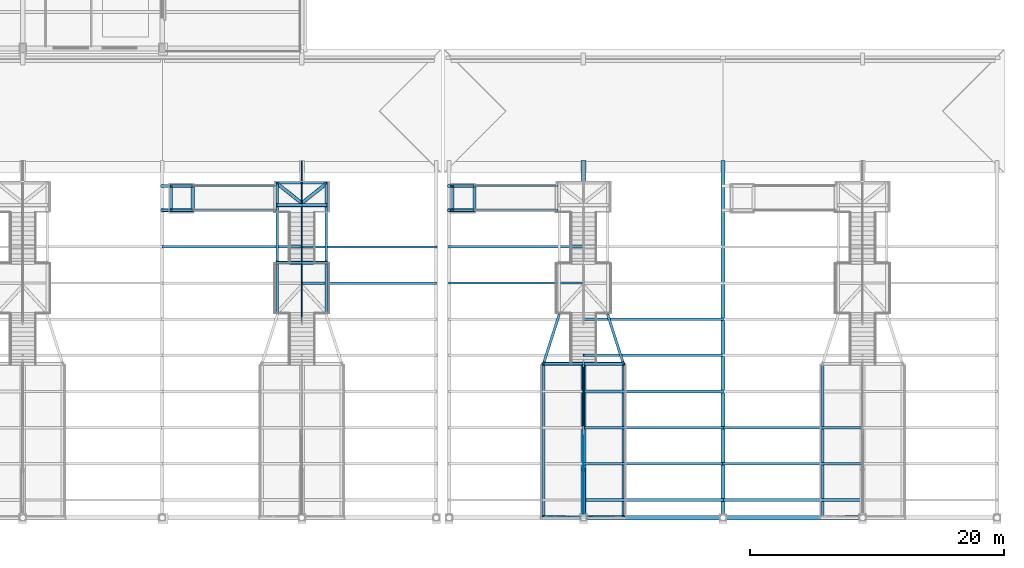
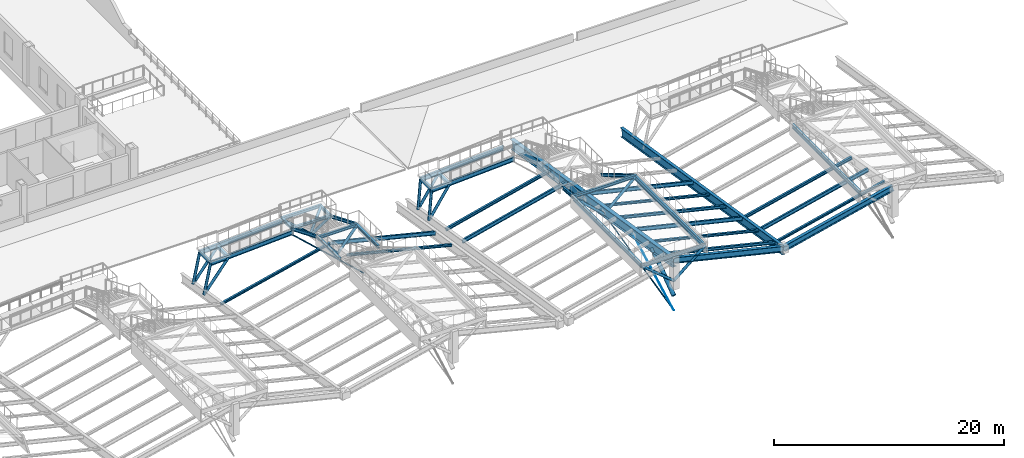
# One storey, part 13 of 43: 36 members, 28 beams.
"""IFC4 building model written with IfcOpenShell, lengths in metres."""

from ifc_helpers import new_model, si_unit, direction, frame, origin, origin_2d, place, context, subcontext, project, spatial, rectangle, circle, hollow_circle, i_section, extrude, material, material_profile, profile_set, type_object, element, save


model = new_model("IFC4")

# Units and contexts
model_context = context("Model", 3, precision=1e-05, world=origin(), true_north=direction((0.0, 1.0)))
body_context = subcontext(model_context, "Body", "Model", "MODEL_VIEW")
ifc_project = project(units=[si_unit("LENGTHUNIT", "METRE"), si_unit("AREAUNIT", "SQUARE_METRE"), si_unit("VOLUMEUNIT", "CUBIC_METRE"), si_unit("PLANEANGLEUNIT", "RADIAN"), si_unit("MASSUNIT", "GRAM", prefix="KILO")], contexts=[model_context])

# Site, building, storey
site_placement = place(None, origin())
site = spatial("IfcSite", under=ifc_project, at=site_placement, CompositionType="ELEMENT")
building_placement = place(site_placement, origin())
building = spatial("IfcBuilding", under=site, at=building_placement, Name="Caurita Quay Ferry Terminal", CompositionType="ELEMENT")
storey_placement = place(building_placement, frame((0.0, 0.0, 14.10009765625)))
storey = spatial("IfcBuildingStorey", under=building, at=storey_placement, Name="L03", CompositionType="ELEMENT", Elevation=14.10009765625)

# Beams
ifc_material_1 = material(Name="Structural steel ASTM A992 Gr. 50", Category="steel")
ifc_material_profile_1 = material_profile(ifc_material_1, i_section(OverallWidth=0.193115234375, OverallDepth=0.46728515625, WebThickness=0.011474609375, FlangeThickness=0.01904296875, FilletRadius=0.0126953125, at=origin_2d()), Name="W18X65")
ifc_profile_set_1 = profile_set([ifc_material_profile_1], Name="Structural steel ASTM A992 Gr. 50")
beam_type_1 = type_object("IfcBeamType", Name="BM-GR-W18A", PredefinedType="BEAM", material=ifc_profile_set_1)
for number, where, z_axis, x_axis, name in (
    (1, (66.550048828125, 58.85009765625, -0.78369140625), (0.998577828833, 0.0, 0.053313410734), (0.0, 1.0, 0.0), "Folded Roof Bay 4 Ramp Underside Stringer S"),
    (2, (66.550048828125, 60.75, -0.78369140625), (0.998577828833, 0.0, 0.053313410734), (0.0, 1.0, 0.0), "Folded Roof Bay 4 Ramp Underside Stringer N"),
):
    element("IfcBeam", number, at=place(storey_placement, frame(where, z_axis=z_axis, x_axis=x_axis)), inside=storey, type_object=beam_type_1, Name=name, PredefinedType="BEAM", context=body_context, shape_type="SweptSolid", body=[
        extrude(i_section(OverallWidth=0.193115234375, OverallDepth=0.46728515625, WebThickness=0.011474609375, FlangeThickness=0.01904296875, FilletRadius=0.0126953125, at=origin_2d()), origin(), (0.0, 0.0, 1.0), 8.439697265625),
    ])
for number, where, z_axis, x_axis, name in (
    (3, (96.080078125, 46.627685546875, 3.26611328125), (0.0, -1.0, 0.0), (1.0, 0.0, 0.0), "Folded Roof Bay 5 Lookout Edge Beam 09"),
    (4, (102.320068359375, 46.627685546875, 3.26611328125), (0.0, -1.0, 0.0), (1.0, 0.0, 0.0), "Folded Roof Bay 5 Lookout Edge Beam 10"),
):
    element("IfcBeam", number, at=place(storey_placement, frame(where, z_axis=z_axis, x_axis=x_axis)), inside=storey, type_object=beam_type_1, Name=name, PredefinedType="BEAM", context=body_context, shape_type="SweptSolid", body=[
        extrude(i_section(OverallWidth=0.193115234375, OverallDepth=0.46728515625, WebThickness=0.011474609375, FlangeThickness=0.01904296875, FilletRadius=0.0126953125, at=origin_2d()), origin(), (0.0, 0.0, 1.0), 11.87548828125),
    ])
for number, where, z_axis, x_axis, name in (
    (5, (88.75, 58.85009765625, -0.78369140625), (0.998577828833, 0.0, 0.053313410734), (0.0, 1.0, 0.0), "Folded Roof Bay 5 Ramp Underside Stringer S"),
    (6, (88.75, 60.75, -0.78369140625), (0.998577828833, 0.0, 0.053313410734), (0.0, 1.0, 0.0), "Folded Roof Bay 5 Ramp Underside Stringer N"),
):
    element("IfcBeam", number, at=place(storey_placement, frame(where, z_axis=z_axis, x_axis=x_axis)), inside=storey, type_object=beam_type_1, Name=name, PredefinedType="BEAM", context=body_context, shape_type="SweptSolid", body=[
        extrude(i_section(OverallWidth=0.193115234375, OverallDepth=0.46728515625, WebThickness=0.011474609375, FlangeThickness=0.01904296875, FilletRadius=0.0126953125, at=origin_2d()), origin(), (0.0, 0.0, 1.0), 8.439697265625),
    ])
beam_1_placement = place(storey_placement, frame((118.080078125, 46.627685546875, 3.26611328125), z_axis=(0.0, -1.0, 0.0), x_axis=(1.0, 0.0, 0.0)))
element("IfcBeam", 7, at=beam_1_placement, inside=storey, type_object=beam_type_1, Name="Folded Roof Bay 6 Lookout Edge Beam 09", PredefinedType="BEAM", context=body_context, shape_type="SweptSolid", body=[
    extrude(i_section(OverallWidth=0.193115234375, OverallDepth=0.46728515625, WebThickness=0.011474609375, FlangeThickness=0.01904296875, FilletRadius=0.0126953125, at=origin_2d()), origin(), (0.0, 0.0, 1.0), 11.87548828125),
])
ifc_material_profile_2 = material_profile(ifc_material_1, i_section(OverallWidth=0.3251953125, OverallDepth=0.612060546875, WebThickness=0.0126953125, FlangeThickness=0.01904296875, FilletRadius=0.01513671875, at=origin_2d()), Name="W24X104")
ifc_profile_set_2 = profile_set([ifc_material_profile_2], Name="Structural steel ASTM A992 Gr. 50")
beam_type_2 = type_object("IfcBeamType", Name="BM-GR-W24A", PredefinedType="BEAM", material=ifc_profile_set_2)
for number, where, z_axis, x_axis, name in (
    (8, (99.199951171875, 34.60009765625, 2.906005859375), (0.972384559308, 0.0, -0.23338437998), (0.0, 1.0, 0.0), "Folded Roof Gable Ring Girder V2-S-99"),
    (9, (110.199951171875, 34.60009765625, 0.265869140625), (0.972384559308, 0.0, 0.23338437998), (0.0, 1.0, 0.0), "Folded Roof Gable Ring Girder V2-S-110"),
):
    element("IfcBeam", number, at=place(storey_placement, frame(where, z_axis=z_axis, x_axis=x_axis)), inside=storey, type_object=beam_type_2, Name=name, PredefinedType="BEAM", context=body_context, shape_type="SweptSolid", body=[
        extrude(i_section(OverallWidth=0.3251953125, OverallDepth=0.612060546875, WebThickness=0.0126953125, FlangeThickness=0.01904296875, FilletRadius=0.01513671875, at=origin_2d()), origin(), (0.0, 0.0, 1.0), 11.3125),
    ])
ifc_material_profile_3 = material_profile(ifc_material_1, i_section(OverallWidth=0.309326171875, OverallDepth=0.93212890625, WebThickness=0.02099609375, FlangeThickness=0.034423828125, FilletRadius=0.024169921875, at=origin_2d()), Name="W36X210")
ifc_profile_set_3 = profile_set([ifc_material_profile_3], Name="Structural steel ASTM A992 Gr. 50")
beam_type_3 = type_object("IfcBeamType", Name="BM-RF-W36B", PredefinedType="BEAM", material=ifc_profile_set_3)
beam_2_placement = place(storey_placement, frame((110.199951171875, 62.699951171875, -4.38720703125), z_axis=(0.0, -0.987439989472, 0.157994516331), x_axis=(1.0, 0.0, 0.0)))
element("IfcBeam", 10, at=beam_2_placement, inside=storey, type_object=beam_type_3, Name="Folded Roof Valley Girder V2-03", PredefinedType="BEAM", context=body_context, shape_type="SweptSolid", body=[
    extrude(i_section(OverallWidth=0.309326171875, OverallDepth=0.93212890625, WebThickness=0.02099609375, FlangeThickness=0.034423828125, FilletRadius=0.024169921875, at=origin_2d()), origin(), (0.0, 0.0, 1.0), 28.457275390625),
])
ifc_material_profile_4 = material_profile(ifc_material_1, i_section(OverallWidth=0.40380859375, OverallDepth=1.02099609375, WebThickness=0.025390625, FlangeThickness=0.047119140625, FilletRadius=0.025390625, at=origin_2d()), Name="W40X324")
ifc_profile_set_4 = profile_set([ifc_material_profile_4], Name="Structural steel ASTM A992 Gr. 50")
beam_type_4 = type_object("IfcBeamType", Name="BM-RF-W40A", PredefinedType="BEAM", material=ifc_profile_set_4)
beam_3_placement = place(storey_placement, frame((99.199951171875, 62.699951171875, -1.7919921875), z_axis=(0.0, -0.98744132788, 0.157986151272), x_axis=(1.0, 0.0, 0.0)))
element("IfcBeam", 11, at=beam_3_placement, inside=storey, type_object=beam_type_4, Name="Folded Roof Ridge Girder V2-02", PredefinedType="BEAM", context=body_context, shape_type="SweptSolid", body=[
    extrude(i_section(OverallWidth=0.40380859375, OverallDepth=1.02099609375, WebThickness=0.025390625, FlangeThickness=0.047119140625, FilletRadius=0.025390625, at=origin_2d()), origin(), (0.0, 0.0, 1.0), 28.457275390625),
])
ifc_material_profile_5 = material_profile(ifc_material_1, i_section(OverallWidth=0.20458984375, OverallDepth=0.307373046875, WebThickness=0.008544921875, FlangeThickness=0.0146484375, FilletRadius=0.0126953125, at=origin_2d()), Name="W12X45")
ifc_profile_set_5 = profile_set([ifc_material_profile_5], Name="Structural steel ASTM A992 Gr. 50")
beam_type_5 = type_object("IfcBeamType", Name="BM-TRM-W12", PredefinedType="BEAM", material=ifc_profile_set_5)
for number, where, z_axis, x_axis, name in (
    (12, (74.949951171875, 61.0, -0.25390625), (1.0, 0.0, 0.0), (0.0, 1.0, 0.0), "Folded Roof Bay 4 Stair Trimmer Beam 1"),
    (13, (74.949951171875, 59.25, -0.25390625), (1.0, 0.0, 0.0), (0.0, 1.0, 0.0), "Folded Roof Bay 4 Stair Trimmer Beam 2"),
    (14, (74.949951171875, 54.68994140625, 1.546142578125), (1.0, 0.0, 0.0), (0.0, 1.0, 0.0), "Folded Roof Bay 4 Stair Trimmer Beam 3"),
):
    element("IfcBeam", number, at=place(storey_placement, frame(where, z_axis=z_axis, x_axis=x_axis)), inside=storey, type_object=beam_type_5, Name=name, PredefinedType="BEAM", context=body_context, shape_type="SweptSolid", body=[
        extrude(i_section(OverallWidth=0.20458984375, OverallDepth=0.307373046875, WebThickness=0.008544921875, FlangeThickness=0.0146484375, FilletRadius=0.0126953125, at=origin_2d()), origin(), (0.0, 0.0, 1.0), 4.10009765625),
    ])
for number, where, z_axis, x_axis, name in (
    (15, (75.080078125, 60.897705078125, -0.25390625), (0.0, -1.0, 0.0), (1.0, 0.0, 0.0), "Folded Roof Bay 4 Lookout Edge Beam 01"),
    (16, (78.919921875, 60.897705078125, -0.25390625), (0.0, -1.0, 0.0), (1.0, 0.0, 0.0), "Folded Roof Bay 4 Lookout Edge Beam 02"),
):
    element("IfcBeam", number, at=place(storey_placement, frame(where, z_axis=z_axis, x_axis=x_axis)), inside=storey, type_object=beam_type_5, Name=name, PredefinedType="BEAM", context=body_context, shape_type="SweptSolid", body=[
        extrude(i_section(OverallWidth=0.20458984375, OverallDepth=0.307373046875, WebThickness=0.008544921875, FlangeThickness=0.0146484375, FilletRadius=0.0126953125, at=origin_2d()), origin(), (0.0, 0.0, 1.0), 1.54541015625),
    ])
for number, where, z_axis, x_axis, name in (
    (17, (75.080078125, 59.147705078125, -0.25390625), (0.0, -0.924182728414, 0.381950630975), (1.0, 0.0, 0.0), "Folded Roof Bay 4 Lookout Edge Beam 03"),
    (18, (78.919921875, 59.147705078125, -0.25390625), (0.0, -0.924182728414, 0.381950630975), (1.0, 0.0, 0.0), "Folded Roof Bay 4 Lookout Edge Beam 04"),
):
    element("IfcBeam", number, at=place(storey_placement, frame(where, z_axis=z_axis, x_axis=x_axis)), inside=storey, type_object=beam_type_5, Name=name, PredefinedType="BEAM", context=body_context, shape_type="SweptSolid", body=[
        extrude(i_section(OverallWidth=0.20458984375, OverallDepth=0.307373046875, WebThickness=0.008544921875, FlangeThickness=0.0146484375, FilletRadius=0.0126953125, at=origin_2d()), origin(), (0.0, 0.0, 1.0), 4.712890625),
    ])
for number, where, z_axis, x_axis, name in (
    (19, (75.080078125, 54.587890625, 1.546142578125), (0.0, -1.0, 0.0), (1.0, 0.0, 0.0), "Folded Roof Bay 4 Lookout Edge Beam 05"),
    (20, (78.919921875, 54.587890625, 1.546142578125), (0.0, -1.0, 0.0), (1.0, 0.0, 0.0), "Folded Roof Bay 4 Lookout Edge Beam 06"),
):
    element("IfcBeam", number, at=place(storey_placement, frame(where, z_axis=z_axis, x_axis=x_axis)), inside=storey, type_object=beam_type_5, Name=name, PredefinedType="BEAM", context=body_context, shape_type="SweptSolid", body=[
        extrude(i_section(OverallWidth=0.20458984375, OverallDepth=0.307373046875, WebThickness=0.008544921875, FlangeThickness=0.0146484375, FilletRadius=0.0126953125, at=origin_2d()), origin(), (0.0, 0.0, 1.0), 3.795654296875),
    ])
for number, where, z_axis, x_axis, name in (
    (21, (95.949951171875, 46.72998046875, 3.34619140625), (1.0, 0.0, 0.0), (0.0, 1.0, 0.0), "Folded Roof Bay 5 Stair Trimmer Beam 5"),
    (22, (95.949951171875, 34.64990234375, 3.34619140625), (1.0, 0.0, 0.0), (0.0, 1.0, 0.0), "Folded Roof Bay 5 Stair Trimmer Beam 6"),
):
    element("IfcBeam", number, at=place(storey_placement, frame(where, z_axis=z_axis, x_axis=x_axis)), inside=storey, type_object=beam_type_5, Name=name, PredefinedType="BEAM", context=body_context, shape_type="SweptSolid", body=[
        extrude(i_section(OverallWidth=0.20458984375, OverallDepth=0.307373046875, WebThickness=0.008544921875, FlangeThickness=0.0146484375, FilletRadius=0.0126953125, at=origin_2d()), origin(), (0.0, 0.0, 1.0), 6.5),
    ])
for number, where, z_axis, x_axis, name in (
    (23, (97.280029296875, 50.587890625, 1.546142578125), (-0.276860750417, -0.866520635538, 0.415319290504), (0.952559941387, -0.304351044134, 0.0), "Folded Roof Bay 5 Lookout Edge Beam 07"),
    (24, (101.1201171875, 50.587890625, 1.546142578125), (0.276860750417, -0.866520635538, 0.415319290504), (0.952559941387, 0.304351044134, 0.0), "Folded Roof Bay 5 Lookout Edge Beam 08"),
):
    element("IfcBeam", number, at=place(storey_placement, frame(where, z_axis=z_axis, x_axis=x_axis)), inside=storey, type_object=beam_type_5, Name=name, PredefinedType="BEAM", context=body_context, shape_type="SweptSolid", body=[
        extrude(i_section(OverallWidth=0.20458984375, OverallDepth=0.307373046875, WebThickness=0.008544921875, FlangeThickness=0.0146484375, FilletRadius=0.0126953125, at=origin_2d()), origin(), (0.0, 0.0, 1.0), 4.334228515625),
    ])
ifc_material_2 = material(Name="Reinforced concrete C35/45", Category="concrete")
ifc_material_profile_6 = material_profile(ifc_material_2, rectangle(XDim=0.25, YDim=0.300048828125, at=origin_2d()), Name="RC-LN-250X300")
ifc_profile_set_6 = profile_set([ifc_material_profile_6], Name="Reinforced concrete C35/45")
beam_type_6 = type_object("IfcBeamType", Name="LN-RC-2530", PredefinedType="LINTEL", material=ifc_profile_set_6)
for number, where, z_axis, x_axis, name in (
    (25, (66.679931640625, 58.946533203125, -0.7001953125), (0.0, 1.0, 0.0), (-1.0, 0.0, 0.0), "Folded Roof Bay 4 Ramp Pad Transverse Beam 1"),
    (26, (68.39990234375, 58.946533203125, -0.7001953125), (0.0, 1.0, 0.0), (-1.0, 0.0, 0.0), "Folded Roof Bay 4 Ramp Pad Transverse Beam 2"),
    (27, (88.8798828125, 58.946533203125, -0.7001953125), (0.0, 1.0, 0.0), (-1.0, 0.0, 0.0), "Folded Roof Bay 5 Ramp Pad Transverse Beam 1"),
    (28, (90.60009765625, 58.946533203125, -0.7001953125), (0.0, 1.0, 0.0), (-1.0, 0.0, 0.0), "Folded Roof Bay 5 Ramp Pad Transverse Beam 2"),
):
    element("IfcBeam", number, at=place(storey_placement, frame(where, z_axis=z_axis, x_axis=x_axis)), inside=storey, type_object=beam_type_6, Name=name, PredefinedType="LINTEL", context=body_context, shape_type="SweptSolid", body=[
        extrude(rectangle(XDim=0.25, YDim=0.300048828125, at=origin_2d()), origin(), (0.0, 0.0, 1.0), 1.70703125),
    ])

# Members
ifc_material_3 = material(Name="Structural stay cable steel ASTM A586", Category="steel")
ifc_material_profile_7 = material_profile(ifc_material_3, circle(Radius=0.031982421875, at=origin_2d()), Name="CABLE-D64")
ifc_profile_set_7 = profile_set([ifc_material_profile_7], Name="Structural stay cable steel ASTM A586")
member_type_1 = type_object("IfcMemberType", Name="MEM-CBL-64", PredefinedType="USERDEFINED", material=ifc_profile_set_7)
member_1_placement = place(storey_placement, frame((99.199951171875, 34.60009765625, -2.4501953125), z_axis=(0.0, 0.881276847581, 0.472600378669), x_axis=(-1.0, 0.0, 0.0)))
element("IfcMember", 29, at=member_1_placement, inside=storey, type_object=member_type_1, Name="Folded Roof Stay Cable V2-02-S1", ObjectType="STAY CABLE", PredefinedType="USERDEFINED", context=body_context, shape_type="SweptSolid", body=[
    extrude(circle(Radius=0.031982421875, at=origin_2d()), origin(), (0.0, 0.0, 1.0), 7.829345703125),
])
ifc_material_profile_8 = material_profile(ifc_material_3, circle(Radius=0.044921875, at=origin_2d()), Name="CABLE-D90")
ifc_profile_set_8 = profile_set([ifc_material_profile_8], Name="Structural stay cable steel ASTM A586")
member_type_2 = type_object("IfcMemberType", Name="MEM-CBL-90", PredefinedType="USERDEFINED", material=ifc_profile_set_8)
member_2_placement = place(storey_placement, frame((77.0, 62.699951171875, -3.650146484375), z_axis=(0.0, -0.962913233347, 0.269811239657), x_axis=(1.0, 0.0, 0.0)))
element("IfcMember", 30, at=member_2_placement, inside=storey, type_object=member_type_2, Name="Folded Roof Stay Cable V1-08-N2", ObjectType="STAY CABLE", PredefinedType="USERDEFINED", context=body_context, shape_type="SweptSolid", body=[
    extrude(circle(Radius=0.044921875, at=origin_2d()), origin(), (0.0, 0.0, 1.0), 13.085205078125),
])
member_3_placement = place(storey_placement, frame((99.199951171875, 34.60009765625, -2.4501953125), z_axis=(0.0, 0.973745828485, 0.22763800541), x_axis=(-1.0, 0.0, 0.0)))
element("IfcMember", 31, at=member_3_placement, inside=storey, type_object=member_type_2, Name="Folded Roof Stay Cable V2-02-S2", ObjectType="STAY CABLE", PredefinedType="USERDEFINED", context=body_context, shape_type="SweptSolid", body=[
    extrude(circle(Radius=0.044921875, at=origin_2d()), origin(), (0.0, 0.0, 1.0), 12.52880859375),
])
ifc_material_profile_9 = material_profile(ifc_material_1, i_section(OverallWidth=0.2021484375, OverallDepth=0.246337890625, WebThickness=0.00732421875, FlangeThickness=0.010986328125, FilletRadius=0.01025390625, at=origin_2d()), Name="W10X33")
ifc_profile_set_9 = profile_set([ifc_material_profile_9], Name="Structural steel ASTM A992 Gr. 50")
member_type_3 = type_object("IfcMemberType", Name="MEM-PUR-10", PredefinedType="PURLIN", material=ifc_profile_set_9)
member_4_placement = place(storey_placement, frame((66.0, 55.949951171875, -3.1201171875), z_axis=(0.972384559308, 0.0, 0.23338437998), x_axis=(0.0, 1.0, 0.0)))
element("IfcMember", 32, at=member_4_placement, inside=storey, type_object=member_type_3, Name="Folded Roof Purlin PUR-068", PredefinedType="PURLIN", context=body_context, shape_type="SweptSolid", body=[
    extrude(i_section(OverallWidth=0.2021484375, OverallDepth=0.246337890625, WebThickness=0.00732421875, FlangeThickness=0.010986328125, FilletRadius=0.01025390625, at=origin_2d()), origin(), (0.0, 0.0, 1.0), 11.3125),
])
member_5_placement = place(storey_placement, frame((77.0, 53.10009765625, -0.024169921875), z_axis=(0.9703603414, 0.0, -0.241662590897), x_axis=(0.0, 1.0, 0.0)))
element("IfcMember", 33, at=member_5_placement, inside=storey, type_object=member_type_3, Name="Folded Roof Purlin PUR-077", PredefinedType="PURLIN", context=body_context, shape_type="SweptSolid", body=[
    extrude(i_section(OverallWidth=0.2021484375, OverallDepth=0.246337890625, WebThickness=0.00732421875, FlangeThickness=0.010986328125, FilletRadius=0.01025390625, at=origin_2d()), origin(), (0.0, 0.0, 1.0), 10.923828125),
])
member_6_placement = place(storey_placement, frame((99.199951171875, 38.85009765625, 2.255859375), z_axis=(0.972389456854, 0.0, -0.233363973654), x_axis=(0.0, 1.0, 0.0)))
element("IfcMember", 34, at=member_6_placement, inside=storey, type_object=member_type_3, Name="Folded Roof Purlin PUR-092", PredefinedType="PURLIN", context=body_context, shape_type="SweptSolid", body=[
    extrude(i_section(OverallWidth=0.2021484375, OverallDepth=0.246337890625, WebThickness=0.00732421875, FlangeThickness=0.010986328125, FilletRadius=0.01025390625, at=origin_2d()), origin(), (0.0, 0.0, 1.0), 11.312255859375),
])
member_7_placement = place(storey_placement, frame((99.199951171875, 47.39990234375, 0.887939453125), z_axis=(0.972384559308, 0.0, -0.23338437998), x_axis=(0.0, 1.0, 0.0)))
element("IfcMember", 35, at=member_7_placement, inside=storey, type_object=member_type_3, Name="Folded Roof Purlin PUR-095", PredefinedType="PURLIN", context=body_context, shape_type="SweptSolid", body=[
    extrude(i_section(OverallWidth=0.2021484375, OverallDepth=0.246337890625, WebThickness=0.00732421875, FlangeThickness=0.010986328125, FilletRadius=0.01025390625, at=origin_2d()), origin(), (0.0, 0.0, 1.0), 11.3125),
])
member_8_placement = place(storey_placement, frame((110.199951171875, 36.0, 0.072021484375), z_axis=(0.972389456854, 0.0, 0.233363973654), x_axis=(0.0, 1.0, 0.0)))
element("IfcMember", 36, at=member_8_placement, inside=storey, type_object=member_type_3, Name="Folded Roof Purlin PUR-101", PredefinedType="PURLIN", context=body_context, shape_type="SweptSolid", body=[
    extrude(i_section(OverallWidth=0.2021484375, OverallDepth=0.246337890625, WebThickness=0.00732421875, FlangeThickness=0.010986328125, FilletRadius=0.01025390625, at=origin_2d()), origin(), (0.0, 0.0, 1.0), 11.312255859375),
])
ifc_material_profile_10 = material_profile(ifc_material_1, i_section(OverallWidth=0.20458984375, OverallDepth=0.307373046875, WebThickness=0.008544921875, FlangeThickness=0.0146484375, FilletRadius=0.0126953125, at=origin_2d()), Name="W12X45")
ifc_profile_set_10 = profile_set([ifc_material_profile_10], Name="Structural steel ASTM A992 Gr. 50")
member_type_4 = type_object("IfcMemberType", Name="MEM-PUR-12", PredefinedType="PURLIN", material=ifc_profile_set_10)
member_9_placement = place(storey_placement, frame((88.60009765625, 55.949951171875, -3.1201171875), z_axis=(0.970353794824, 0.0, 0.241688876183), x_axis=(0.0, 1.0, 0.0)))
element("IfcMember", 37, at=member_9_placement, inside=storey, type_object=member_type_4, Name="Folded Roof Purlin PUR-088", PredefinedType="PURLIN", context=body_context, shape_type="SweptSolid", body=[
    extrude(i_section(OverallWidth=0.20458984375, OverallDepth=0.307373046875, WebThickness=0.008544921875, FlangeThickness=0.0146484375, FilletRadius=0.0126953125, at=origin_2d()), origin(), (0.0, 0.0, 1.0), 10.923583984375),
])
member_10_placement = place(storey_placement, frame((99.199951171875, 36.0, 2.7119140625), z_axis=(0.972389456854, 0.0, -0.233363973654), x_axis=(0.0, 1.0, 0.0)))
element("IfcMember", 38, at=member_10_placement, inside=storey, type_object=member_type_4, Name="Folded Roof Purlin PUR-091", PredefinedType="PURLIN", context=body_context, shape_type="SweptSolid", body=[
    extrude(i_section(OverallWidth=0.20458984375, OverallDepth=0.307373046875, WebThickness=0.008544921875, FlangeThickness=0.0146484375, FilletRadius=0.0126953125, at=origin_2d()), origin(), (0.0, 0.0, 1.0), 11.312255859375),
])
member_11_placement = place(storey_placement, frame((99.199951171875, 44.550048828125, 1.343994140625), z_axis=(0.972384559308, 0.0, -0.23338437998), x_axis=(0.0, 1.0, 0.0)))
element("IfcMember", 39, at=member_11_placement, inside=storey, type_object=member_type_4, Name="Folded Roof Purlin PUR-094", PredefinedType="PURLIN", context=body_context, shape_type="SweptSolid", body=[
    extrude(i_section(OverallWidth=0.20458984375, OverallDepth=0.307373046875, WebThickness=0.008544921875, FlangeThickness=0.0146484375, FilletRadius=0.0126953125, at=origin_2d()), origin(), (0.0, 0.0, 1.0), 11.3125),
])
member_12_placement = place(storey_placement, frame((110.199951171875, 41.699951171875, -0.840087890625), z_axis=(0.972389456854, 0.0, 0.233363973654), x_axis=(0.0, 1.0, 0.0)))
element("IfcMember", 40, at=member_12_placement, inside=storey, type_object=member_type_4, Name="Folded Roof Purlin PUR-103", PredefinedType="PURLIN", context=body_context, shape_type="SweptSolid", body=[
    extrude(i_section(OverallWidth=0.20458984375, OverallDepth=0.307373046875, WebThickness=0.008544921875, FlangeThickness=0.0146484375, FilletRadius=0.0126953125, at=origin_2d()), origin(), (0.0, 0.0, 1.0), 11.312255859375),
])
ifc_material_profile_11 = material_profile(ifc_material_1, i_section(OverallWidth=0.177734375, OverallDepth=0.40380859375, WebThickness=0.007568359375, FlangeThickness=0.010986328125, FilletRadius=0.011474609375, at=origin_2d()), Name="W16X36")
ifc_profile_set_11 = profile_set([ifc_material_profile_11], Name="Structural steel ASTM A992 Gr. 50")
member_type_5 = type_object("IfcMemberType", Name="MEM-PUR-16", PredefinedType="PURLIN", material=ifc_profile_set_11)
member_13_placement = place(storey_placement, frame((77.0, 55.949951171875, -0.47998046875), z_axis=(0.970355100302, 0.0, -0.241683634775), x_axis=(0.0, 1.0, 0.0)))
element("IfcMember", 41, at=member_13_placement, inside=storey, type_object=member_type_5, Name="Folded Roof Purlin PUR-078", PredefinedType="PURLIN", context=body_context, shape_type="SweptSolid", body=[
    extrude(i_section(OverallWidth=0.177734375, OverallDepth=0.40380859375, WebThickness=0.007568359375, FlangeThickness=0.010986328125, FilletRadius=0.011474609375, at=origin_2d()), origin(), (0.0, 0.0, 1.0), 10.923828125),
])
member_14_placement = place(storey_placement, frame((88.60009765625, 53.10009765625, -2.6640625), z_axis=(0.970359036142, 0.0, 0.241667831905), x_axis=(0.0, 1.0, 0.0)))
element("IfcMember", 42, at=member_14_placement, inside=storey, type_object=member_type_5, Name="Folded Roof Purlin PUR-087", PredefinedType="PURLIN", context=body_context, shape_type="SweptSolid", body=[
    extrude(i_section(OverallWidth=0.177734375, OverallDepth=0.40380859375, WebThickness=0.007568359375, FlangeThickness=0.010986328125, FilletRadius=0.011474609375, at=origin_2d()), origin(), (0.0, 0.0, 1.0), 10.923583984375),
])
for number, where, z_axis, x_axis, name in (
    (43, (99.199951171875, 41.699951171875, 1.7998046875), (0.972389456854, 0.0, -0.233363973654), (0.0, 1.0, 0.0), "Folded Roof Purlin PUR-093"),
    (44, (99.199951171875, 50.25, 0.431884765625), (0.972389456854, 0.0, -0.233363973654), (0.0, 1.0, 0.0), "Folded Roof Purlin PUR-096"),
    (45, (110.199951171875, 38.85009765625, -0.384033203125), (0.972389456854, 0.0, 0.233363973654), (0.0, 1.0, 0.0), "Folded Roof Purlin PUR-102"),
):
    element("IfcMember", number, at=place(storey_placement, frame(where, z_axis=z_axis, x_axis=x_axis)), inside=storey, type_object=member_type_5, Name=name, PredefinedType="PURLIN", context=body_context, shape_type="SweptSolid", body=[
        extrude(i_section(OverallWidth=0.177734375, OverallDepth=0.40380859375, WebThickness=0.007568359375, FlangeThickness=0.010986328125, FilletRadius=0.011474609375, at=origin_2d()), origin(), (0.0, 0.0, 1.0), 11.312255859375),
    ])
ifc_material_4 = material(Name="Hollow structural steel ASTM A500 Gr. C", Category="steel")
ifc_material_profile_12 = material_profile(ifc_material_4, hollow_circle(Radius=0.136474609375, WallThickness=0.008544921875, at=origin_2d()), Name="HSS10.750X0.365")
ifc_profile_set_12 = profile_set([ifc_material_profile_12], Name="Hollow structural steel ASTM A500 Gr. C")
member_type_6 = type_object("IfcMemberType", Name="MEM-STR-10", PredefinedType="STRUT", material=ifc_profile_set_12)
for number, where, z_axis, x_axis, name in (
    (46, (77.0, 59.39990234375, -1.612060546875), (-0.691667618679, 0.550612118648, 0.467356609099), (-0.622815852586, -0.782368464196, 0.0), "Folded Roof Bay 4 Lookout Bent Strut 1W"),
    (47, (77.0, 59.39990234375, -1.612060546875), (0.691667618679, 0.550612118648, 0.467356609099), (-0.622815852586, 0.782368464196, 0.0), "Folded Roof Bay 4 Lookout Bent Strut 1E"),
):
    element("IfcMember", number, at=place(storey_placement, frame(where, z_axis=z_axis, x_axis=x_axis)), inside=storey, type_object=member_type_6, Name=name, PredefinedType="STRUT", context=body_context, shape_type="SweptSolid", body=[
        extrude(hollow_circle(Radius=0.136474609375, WallThickness=0.008544921875, at=origin_2d()), origin(), (0.0, 0.0, 1.0), 2.906005859375),
    ])
for number, where, z_axis, x_axis, name in (
    (48, (77.0, 59.25, -1.588134765625), (-0.833154023722, 0.0, 0.55304102267), (0.0, -1.0, 0.0), "Folded Roof Bay 4 Lookout Bent Strut 2W"),
    (49, (77.0, 59.25, -1.588134765625), (0.833154023722, 0.0, 0.55304102267), (0.0, 1.0, 0.0), "Folded Roof Bay 4 Lookout Bent Strut 2E"),
):
    element("IfcMember", number, at=place(storey_placement, frame(where, z_axis=z_axis, x_axis=x_axis)), inside=storey, type_object=member_type_6, Name=name, PredefinedType="STRUT", context=body_context, shape_type="SweptSolid", body=[
        extrude(hollow_circle(Radius=0.136474609375, WallThickness=0.008544921875, at=origin_2d()), origin(), (0.0, 0.0, 1.0), 2.41259765625),
    ])
for number, where, z_axis, x_axis, name in (
    (50, (77.0, 54.68994140625, -0.8583984375), (-0.641355995055, 0.0, 0.767243434385), (0.0, -1.0, 0.0), "Folded Roof Bay 4 Lookout Bent Strut 3W"),
    (51, (77.0, 54.68994140625, -0.8583984375), (0.641355995055, 0.0, 0.767243434385), (0.0, 1.0, 0.0), "Folded Roof Bay 4 Lookout Bent Strut 3E"),
):
    element("IfcMember", number, at=place(storey_placement, frame(where, z_axis=z_axis, x_axis=x_axis)), inside=storey, type_object=member_type_6, Name=name, PredefinedType="STRUT", context=body_context, shape_type="SweptSolid", body=[
        extrude(hollow_circle(Radius=0.136474609375, WallThickness=0.008544921875, at=origin_2d()), origin(), (0.0, 0.0, 1.0), 3.134033203125),
    ])
member_15_placement = place(storey_placement, frame((66.0, 58.85009765625, -3.8662109375), z_axis=(0.206299496183, 0.0, 0.978488895121), x_axis=(0.0, 1.0, 0.0)))
element("IfcMember", 52, at=member_15_placement, inside=storey, type_object=member_type_6, Name="Folded Roof Bay 4 Ramp Pad Strut 1S", PredefinedType="STRUT", context=body_context, shape_type="SweptSolid", body=[
    extrude(hollow_circle(Radius=0.136474609375, WallThickness=0.008544921875, at=origin_2d()), origin(), (0.0, 0.0, 1.0), 3.150390625),
])
member_16_placement = place(storey_placement, frame((66.0, 58.85009765625, -3.8662109375), z_axis=(0.622204179783, 0.0, 0.782855004877), x_axis=(0.0, 1.0, 0.0)))
element("IfcMember", 53, at=member_16_placement, inside=storey, type_object=member_type_6, Name="Folded Roof Bay 4 Ramp Pad Strut 2S", PredefinedType="STRUT", context=body_context, shape_type="SweptSolid", body=[
    extrude(hollow_circle(Radius=0.136474609375, WallThickness=0.008544921875, at=origin_2d()), origin(), (0.0, 0.0, 1.0), 3.9375),
])
member_17_placement = place(storey_placement, frame((66.0, 60.75, -3.8662109375), z_axis=(0.206299496183, 0.0, 0.978488895121), x_axis=(0.0, 1.0, 0.0)))
element("IfcMember", 54, at=member_17_placement, inside=storey, type_object=member_type_6, Name="Folded Roof Bay 4 Ramp Pad Strut 1N", PredefinedType="STRUT", context=body_context, shape_type="SweptSolid", body=[
    extrude(hollow_circle(Radius=0.136474609375, WallThickness=0.008544921875, at=origin_2d()), origin(), (0.0, 0.0, 1.0), 3.150390625),
])
member_18_placement = place(storey_placement, frame((66.0, 60.75, -3.8662109375), z_axis=(0.622204179783, 0.0, 0.782855004877), x_axis=(0.0, 1.0, 0.0)))
element("IfcMember", 55, at=member_18_placement, inside=storey, type_object=member_type_6, Name="Folded Roof Bay 4 Ramp Pad Strut 2N", PredefinedType="STRUT", context=body_context, shape_type="SweptSolid", body=[
    extrude(hollow_circle(Radius=0.136474609375, WallThickness=0.008544921875, at=origin_2d()), origin(), (0.0, 0.0, 1.0), 3.9375),
])
for number, where, z_axis, x_axis, name in (
    (56, (99.199951171875, 46.72998046875, 0.4150390625), (-0.738449014964, 0.0, 0.674309315003), (0.0, -1.0, 0.0), "Folded Roof Bay 5 Lookout Bent Strut 5W"),
    (57, (99.199951171875, 46.72998046875, 0.4150390625), (0.738449014964, 0.0, 0.674309315003), (0.0, 1.0, 0.0), "Folded Roof Bay 5 Lookout Bent Strut 5E"),
):
    element("IfcMember", number, at=place(storey_placement, frame(where, z_axis=z_axis, x_axis=x_axis)), inside=storey, type_object=member_type_6, Name=name, PredefinedType="STRUT", context=body_context, shape_type="SweptSolid", body=[
        extrude(hollow_circle(Radius=0.136474609375, WallThickness=0.008544921875, at=origin_2d()), origin(), (0.0, 0.0, 1.0), 4.346923828125),
    ])
for number, where, z_axis, x_axis, name in (
    (58, (99.199951171875, 34.60009765625, 0.699951171875), (-0.771551284147, 0.011971133402, 0.636054485006), (-0.01551380053, -0.999879653755, 0.0), "Folded Roof Bay 5 Lookout Bent Strut 6W"),
    (59, (99.199951171875, 34.60009765625, 0.699951171875), (0.771551284147, 0.011971133402, 0.636054485006), (-0.01551380053, 0.999879653755, 0.0), "Folded Roof Bay 5 Lookout Bent Strut 6E"),
):
    element("IfcMember", number, at=place(storey_placement, frame(where, z_axis=z_axis, x_axis=x_axis)), inside=storey, type_object=member_type_6, Name=name, PredefinedType="STRUT", context=body_context, shape_type="SweptSolid", body=[
        extrude(hollow_circle(Radius=0.136474609375, WallThickness=0.008544921875, at=origin_2d()), origin(), (0.0, 0.0, 1.0), 4.160400390625),
    ])
member_19_placement = place(storey_placement, frame((88.60009765625, 58.85009765625, -3.8662109375), z_axis=(0.080837065196, 0.0, 0.996727329258), x_axis=(0.0, 1.0, 0.0)))
element("IfcMember", 60, at=member_19_placement, inside=storey, type_object=member_type_6, Name="Folded Roof Bay 5 Ramp Pad Strut 1S", PredefinedType="STRUT", context=body_context, shape_type="SweptSolid", body=[
    extrude(hollow_circle(Radius=0.136474609375, WallThickness=0.008544921875, at=origin_2d()), origin(), (0.0, 0.0, 1.0), 3.092529296875),
])
member_20_placement = place(storey_placement, frame((88.60009765625, 58.85009765625, -3.8662109375), z_axis=(0.553725768531, 0.0, 0.832699089266), x_axis=(0.0, 1.0, 0.0)))
element("IfcMember", 61, at=member_20_placement, inside=storey, type_object=member_type_6, Name="Folded Roof Bay 5 Ramp Pad Strut 2S", PredefinedType="STRUT", context=body_context, shape_type="SweptSolid", body=[
    extrude(hollow_circle(Radius=0.136474609375, WallThickness=0.008544921875, at=origin_2d()), origin(), (0.0, 0.0, 1.0), 3.701904296875),
])
member_21_placement = place(storey_placement, frame((88.60009765625, 60.75, -3.8662109375), z_axis=(0.080837065196, 0.0, 0.996727329258), x_axis=(0.0, 1.0, 0.0)))
element("IfcMember", 62, at=member_21_placement, inside=storey, type_object=member_type_6, Name="Folded Roof Bay 5 Ramp Pad Strut 1N", PredefinedType="STRUT", context=body_context, shape_type="SweptSolid", body=[
    extrude(hollow_circle(Radius=0.136474609375, WallThickness=0.008544921875, at=origin_2d()), origin(), (0.0, 0.0, 1.0), 3.092529296875),
])
member_22_placement = place(storey_placement, frame((88.60009765625, 60.75, -3.8662109375), z_axis=(0.553725768531, 0.0, 0.832699089266), x_axis=(0.0, 1.0, 0.0)))
element("IfcMember", 63, at=member_22_placement, inside=storey, type_object=member_type_6, Name="Folded Roof Bay 5 Ramp Pad Strut 2N", PredefinedType="STRUT", context=body_context, shape_type="SweptSolid", body=[
    extrude(hollow_circle(Radius=0.136474609375, WallThickness=0.008544921875, at=origin_2d()), origin(), (0.0, 0.0, 1.0), 3.701904296875),
])
ifc_material_profile_13 = material_profile(ifc_material_4, hollow_circle(Radius=0.203125, WallThickness=0.01171875, at=origin_2d()), Name="HSS16.000X0.500")
ifc_profile_set_13 = profile_set([ifc_material_profile_13], Name="Hollow structural steel ASTM A500 Gr. C")
member_type_7 = type_object("IfcMemberType", Name="MEM-STR-16", PredefinedType="STRUT", material=ifc_profile_set_13)
member_23_placement = place(storey_placement, frame((99.199951171875, 34.60009765625, -0.900146484375), z_axis=(0.0, 0.810497929936, 0.585741500638), x_axis=(-1.0, 0.0, 0.0)))
element("IfcMember", 64, at=member_23_placement, inside=storey, type_object=member_type_7, Name="Mast Tree-Strut V2-02-S1", PredefinedType="STRUT", context=body_context, shape_type="SweptSolid", body=[
    extrude(hollow_circle(Radius=0.203125, WallThickness=0.01171875, at=origin_2d()), origin(), (0.0, 0.0, 1.0), 4.688232421875),
])

save(model, "model.ifc")
